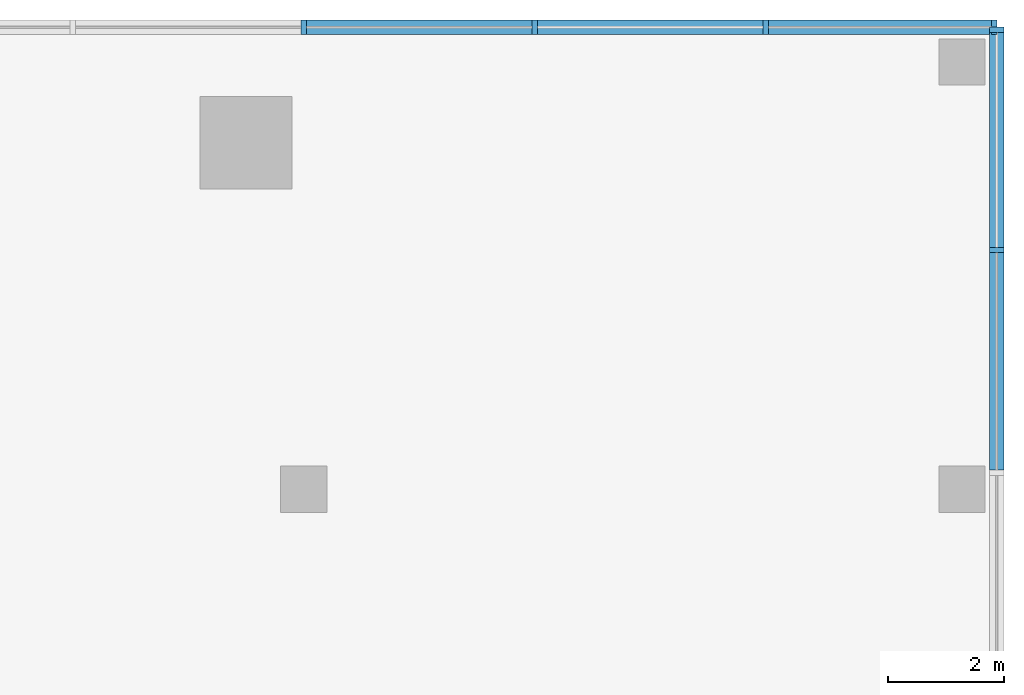
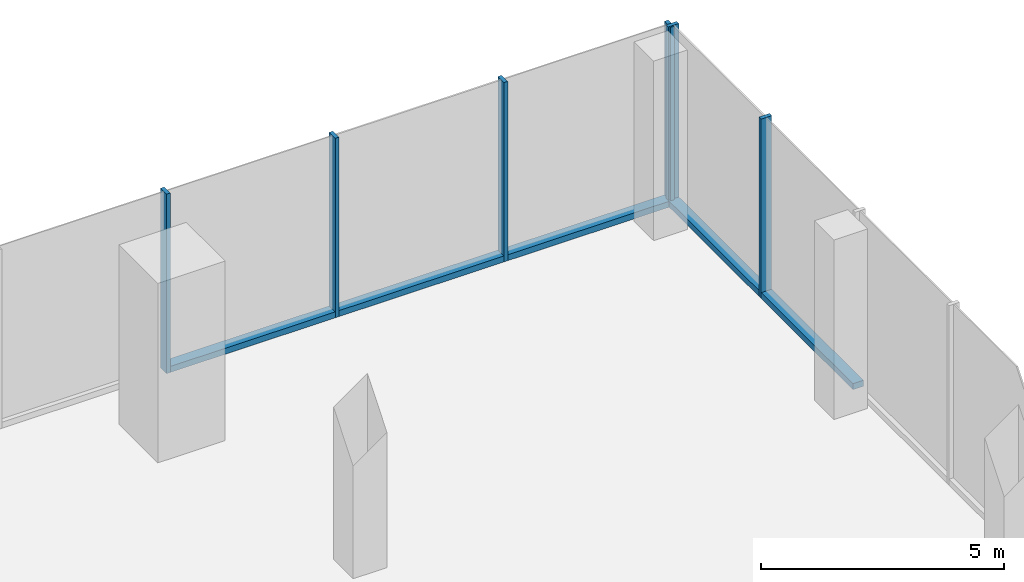
# One storey, part 7 of 15: 11 members, 2 elements without a shape of their own.
"""IFC4 building model written with IfcOpenShell, lengths in metres."""

from ifc_helpers import new_model, si_unit, direction, frame, origin, origin_2d, place, context, subcontext, project, spatial, rectangle, extrude, material, material_profile, profile_set, type_object, element, aggregate, save


model = new_model("IFC4")

# Units and contexts
model_context = context("Model", 3, precision=1e-05, world=origin(), true_north=direction((0.0, 1.0)))
body_context = subcontext(model_context, "Body", "Model", "MODEL_VIEW")
ifc_project = project(units=[si_unit("LENGTHUNIT", "METRE"), si_unit("AREAUNIT", "SQUARE_METRE"), si_unit("VOLUMEUNIT", "CUBIC_METRE"), si_unit("PLANEANGLEUNIT", "RADIAN"), si_unit("MASSUNIT", "GRAM", prefix="KILO")], contexts=[model_context])

# Site, building, storey
site_placement = place(None, origin())
site = spatial("IfcSite", under=ifc_project, at=site_placement, CompositionType="ELEMENT")
building_placement = place(site_placement, origin())
building = spatial("IfcBuilding", under=site, at=building_placement, Name="Torsade Residences", CompositionType="ELEMENT")
storey_placement = place(building_placement, frame((0.0, 0.0, 6.0)))
storey = spatial("IfcBuildingStorey", under=building, at=storey_placement, Name="L01", CompositionType="ELEMENT", Elevation=6.0)

# Curtain wall, members
ifc_material_1 = material(Name="Aluminium and glass", Category="aluminium")
curtain_wall_type = type_object("IfcCurtainWallType", Name="PODIUM CURTAIN WALL", PredefinedType="NOTDEFINED", material=ifc_material_1)
curtain_wall_1_placement = place(storey_placement, origin())
curtain_wall_1 = element("IfcCurtainWall", 1, at=curtain_wall_1_placement, inside=storey, type_object=curtain_wall_type, Name="Podium curtain wall L01 E", PredefinedType="NOTDEFINED")
ifc_material_2 = material(Name="Aluminium mullion", Category="aluminium")
ifc_material_profile_1 = material_profile(ifc_material_2, rectangle(XDim=0.25, YDim=0.090087890625, at=origin_2d()), Name="PODIUM CURTAIN WALL MULLION 250x90")
ifc_profile_set_1 = profile_set([ifc_material_profile_1], Name="Aluminium mullion")
member_type_1 = type_object("IfcMemberType", Name="PODIUM CURTAIN WALL MULLION 250x90", PredefinedType="MULLION", material=ifc_profile_set_1)
member_1_placement = place(storey_placement, frame((78.0, 53.142822265625, 0.0), z_axis=(0.0, 0.0, 1.0), x_axis=(-1.0, 0.0, 0.0)))
member_1 = element("IfcMember", 2, at=member_1_placement, type_object=member_type_1, Name="Mullion 14", PredefinedType="MULLION", context=body_context, shape_type="SweptSolid", body=[
    extrude(rectangle(XDim=0.25, YDim=0.090087890625, at=origin_2d()), origin(), (0.0, 0.0, 1.0), 4.5),
])
member_2_placement = place(storey_placement, frame((78.0, 56.955078125, 0.0), z_axis=(0.0, 0.0, 1.0), x_axis=(-1.0, 0.0, 0.0)))
member_2 = element("IfcMember", 3, at=member_2_placement, type_object=member_type_1, Name="Mullion 15", PredefinedType="MULLION", context=body_context, shape_type="SweptSolid", body=[
    extrude(rectangle(XDim=0.25, YDim=0.090087890625, at=origin_2d()), origin(), (0.0, 0.0, 1.0), 4.5),
])

curtain_wall_2_placement = place(storey_placement, origin())
curtain_wall_2 = element("IfcCurtainWall", 4, at=curtain_wall_2_placement, inside=storey, type_object=curtain_wall_type, Name="Podium curtain wall L01 N", PredefinedType="NOTDEFINED")
member_3_placement = place(storey_placement, frame((77.955078125, 57.0, 0.0), z_axis=(0.0, 0.0, 1.0), x_axis=(0.0, -1.0, 0.0)))
member_3 = element("IfcMember", 5, at=member_3_placement, type_object=member_type_1, Name="Mullion 1", PredefinedType="MULLION", context=body_context, shape_type="SweptSolid", body=[
    extrude(rectangle(XDim=0.25, YDim=0.090087890625, at=origin_2d()), origin(), (0.0, 0.0, 1.0), 4.5),
])
member_4_placement = place(storey_placement, frame((74.0, 57.0, 0.0), z_axis=(0.0, 0.0, 1.0), x_axis=(0.0, -1.0, 0.0)))
member_4 = element("IfcMember", 6, at=member_4_placement, type_object=member_type_1, Name="Mullion 2", PredefinedType="MULLION", context=body_context, shape_type="SweptSolid", body=[
    extrude(rectangle(XDim=0.25, YDim=0.090087890625, at=origin_2d()), origin(), (0.0, 0.0, 1.0), 4.5),
])
member_5_placement = place(storey_placement, frame((70.0, 57.0, 0.0), z_axis=(0.0, 0.0, 1.0), x_axis=(0.0, -1.0, 0.0)))
member_5 = element("IfcMember", 7, at=member_5_placement, type_object=member_type_1, Name="Mullion 3", PredefinedType="MULLION", context=body_context, shape_type="SweptSolid", body=[
    extrude(rectangle(XDim=0.25, YDim=0.090087890625, at=origin_2d()), origin(), (0.0, 0.0, 1.0), 4.5),
])
member_6_placement = place(storey_placement, frame((66.0, 57.0, 0.0), z_axis=(0.0, 0.0, 1.0), x_axis=(0.0, -1.0, 0.0)))
member_6 = element("IfcMember", 8, at=member_6_placement, type_object=member_type_1, Name="Mullion 4", PredefinedType="MULLION", context=body_context, shape_type="SweptSolid", body=[
    extrude(rectangle(XDim=0.25, YDim=0.090087890625, at=origin_2d()), origin(), (0.0, 0.0, 1.0), 4.5),
])

# Member
ifc_material_3 = material(Name="Aluminium transom", Category="aluminium")
ifc_material_profile_2 = material_profile(ifc_material_3, rectangle(XDim=0.25, YDim=0.14990234375, at=origin_2d()), Name="PODIUM CURTAIN WALL TRANSOM 250x150")
ifc_profile_set_2 = profile_set([ifc_material_profile_2], Name="Aluminium transom")
member_type_2 = type_object("IfcMemberType", Name="PODIUM CURTAIN WALL TRANSOM 250x150", PredefinedType="USERDEFINED", material=ifc_profile_set_2)
member_7_placement = place(storey_placement, frame((78.0, 49.330810546875, 0.074951171875), z_axis=(0.0, 1.0, 0.0), x_axis=(-1.0, 0.0, 0.0)))
member_7 = element("IfcMember", 9, at=member_7_placement, type_object=member_type_2, Name="Transom 13.1", ObjectType="TRANSOM", PredefinedType="USERDEFINED", context=body_context, shape_type="SweptSolid", body=[
    extrude(rectangle(XDim=0.25, YDim=0.14990234375, at=origin_2d()), origin(), (0.0, 0.0, 1.0), 3.76708984375),
])

member_8_placement = place(storey_placement, frame((78.0, 53.187744140625, 0.074951171875), z_axis=(0.0, 1.0, 0.0), x_axis=(-1.0, 0.0, 0.0)))
member_8 = element("IfcMember", 10, at=member_8_placement, type_object=member_type_2, Name="Transom 14.1", ObjectType="TRANSOM", PredefinedType="USERDEFINED", context=body_context, shape_type="SweptSolid", body=[
    extrude(rectangle(XDim=0.25, YDim=0.14990234375, at=origin_2d()), origin(), (0.0, 0.0, 1.0), 3.72216796875),
])

aggregate(curtain_wall_1, [member_1, member_2, member_7, member_8])

member_9_placement = place(storey_placement, frame((77.909912109375, 57.0, 0.074951171875), z_axis=(-1.0, 0.0, 0.0), x_axis=(0.0, -1.0, 0.0)))
member_9 = element("IfcMember", 11, at=member_9_placement, type_object=member_type_2, Name="Transom 1.1", ObjectType="TRANSOM", PredefinedType="USERDEFINED", context=body_context, shape_type="SweptSolid", body=[
    extrude(rectangle(XDim=0.25, YDim=0.14990234375, at=origin_2d()), origin(), (0.0, 0.0, 1.0), 3.864990234375),
])

member_10_placement = place(storey_placement, frame((73.955078125, 57.0, 0.074951171875), z_axis=(-1.0, 0.0, 0.0), x_axis=(0.0, -1.0, 0.0)))
member_10 = element("IfcMember", 12, at=member_10_placement, type_object=member_type_2, Name="Transom 2.1", ObjectType="TRANSOM", PredefinedType="USERDEFINED", context=body_context, shape_type="SweptSolid", body=[
    extrude(rectangle(XDim=0.25, YDim=0.14990234375, at=origin_2d()), origin(), (0.0, 0.0, 1.0), 3.91015625),
])

member_11_placement = place(storey_placement, frame((69.955078125, 57.0, 0.074951171875), z_axis=(-1.0, 0.0, 0.0), x_axis=(0.0, -1.0, 0.0)))
member_11 = element("IfcMember", 13, at=member_11_placement, type_object=member_type_2, Name="Transom 3.1", ObjectType="TRANSOM", PredefinedType="USERDEFINED", context=body_context, shape_type="SweptSolid", body=[
    extrude(rectangle(XDim=0.25, YDim=0.14990234375, at=origin_2d()), origin(), (0.0, 0.0, 1.0), 3.91015625),
])

aggregate(curtain_wall_2, [member_3, member_4, member_5, member_6, member_9, member_10, member_11])

save(model, "model.ifc")
